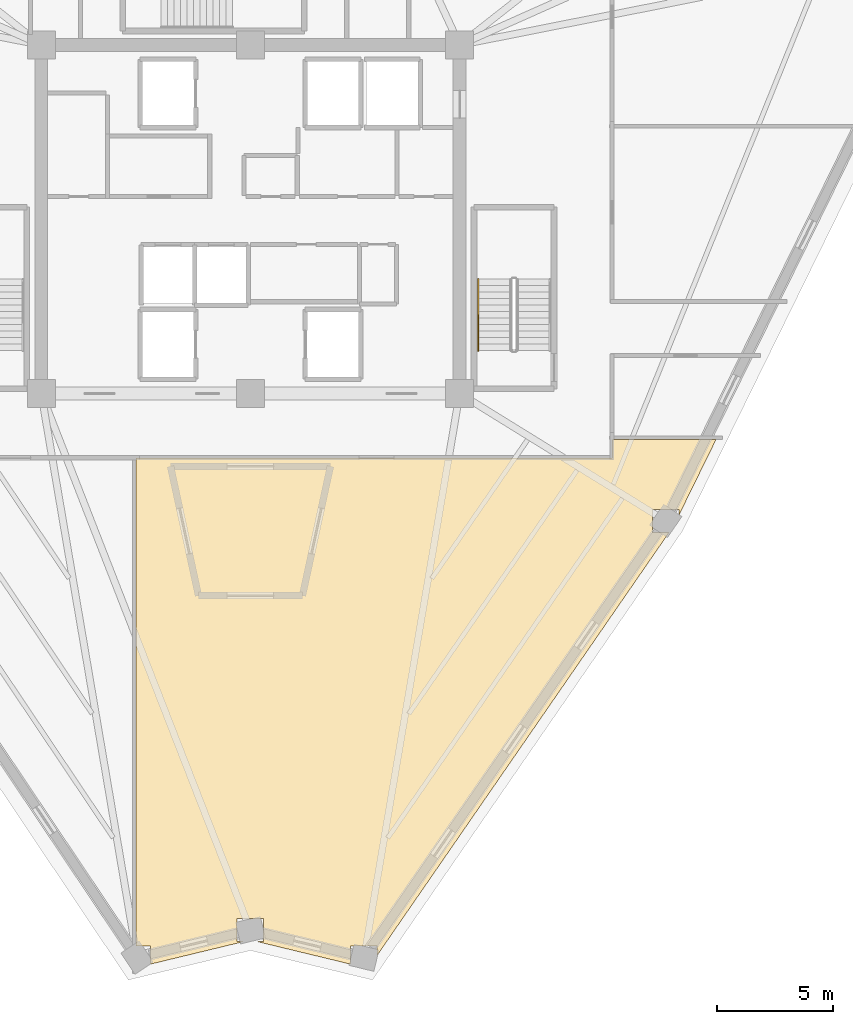
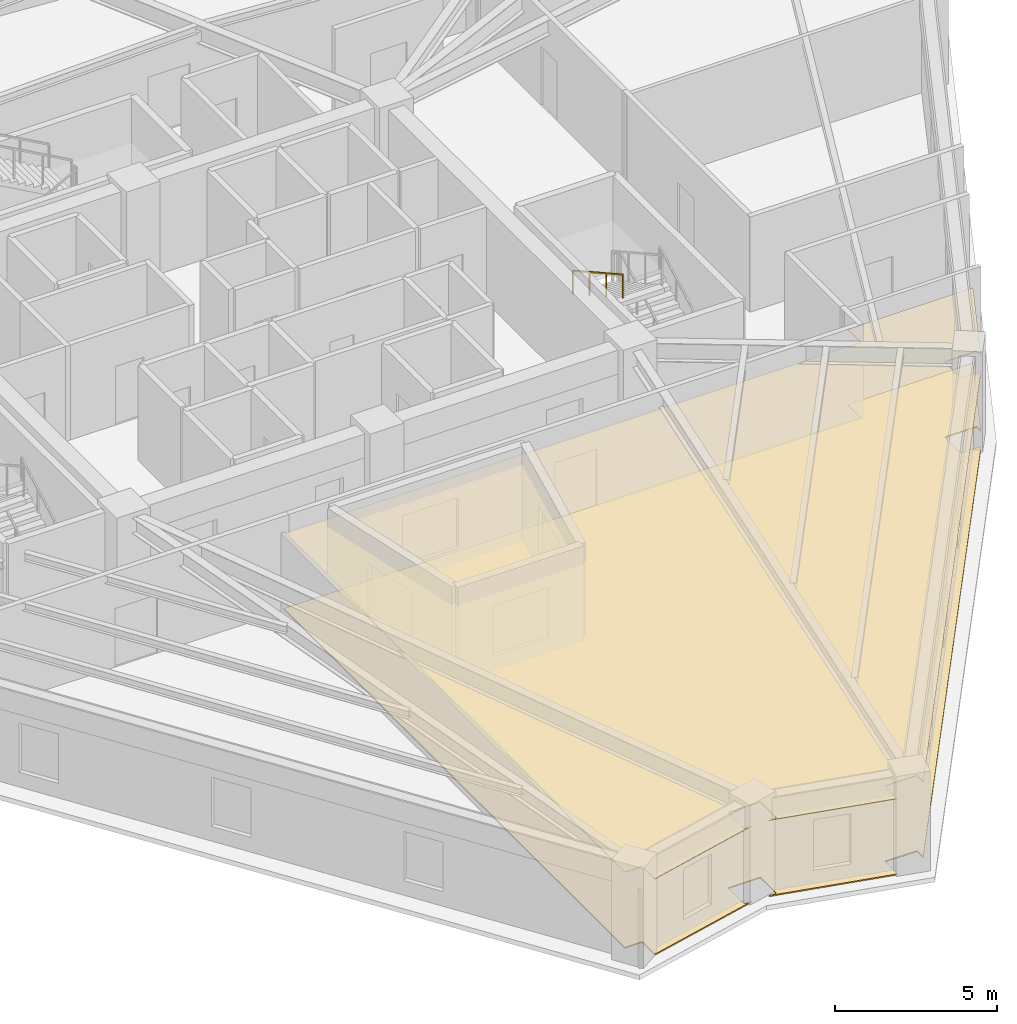
# One storey, part 9 of 10: 2 coverings, 1 railing.
"""IFC4 building model written with IfcOpenShell, lengths in metres."""

from ifc_helpers import new_model, si_unit, direction, frame, origin, origin_2d, place, context, subcontext, project, spatial, polyline, rectangle, outline, extrude, material, layer, layer_set, type_object, element, save


model = new_model("IFC4")

# Units and contexts
model_context = context("Model", 3, precision=1e-05, world=origin(), true_north=direction((0.0, 1.0)))
body_context = subcontext(model_context, "Body", "Model", "MODEL_VIEW")
ifc_project = project(units=[si_unit("LENGTHUNIT", "METRE"), si_unit("AREAUNIT", "SQUARE_METRE"), si_unit("VOLUMEUNIT", "CUBIC_METRE"), si_unit("PLANEANGLEUNIT", "RADIAN"), si_unit("MASSUNIT", "GRAM", prefix="KILO")], contexts=[model_context])

# Site, building, storey
site_placement = place(None, origin())
site = spatial("IfcSite", under=ifc_project, at=site_placement, CompositionType="ELEMENT")
building_placement = place(site_placement, origin())
building = spatial("IfcBuilding", under=site, at=building_placement, Name="Liaohun Quay Tower", CompositionType="ELEMENT")
storey_placement = place(building_placement, frame((0.0, 0.0, 309.0)))
storey = spatial("IfcBuildingStorey", under=building, at=storey_placement, Name="L80", CompositionType="ELEMENT", Elevation=309.0)

# Coverings
ifc_material_1 = material(Name="Mineral-fibre acoustic ceiling tile")
ifc_layer_1 = layer(ifc_material_1, 0.02490234375, Name="Mineral-fibre acoustic ceiling tile")
ifc_layer_set_1 = layer_set([ifc_layer_1], Name="Mineral-fibre acoustic ceiling tile")
covering_type_1 = type_object("IfcCoveringType", Name="COV-CEIL-ACT", PredefinedType="CEILING", material=ifc_layer_set_1)
covering_1_placement = place(storey_placement, frame((0.0, 0.0, 2.85009765625)))
element("IfcCovering", 1, at=covering_1_placement, inside=storey, type_object=covering_type_1, Name="L80 Corporate Exhibition Gallery 08 Acoustic Ceiling", PredefinedType="CEILING", context=body_context, shape_type="SweptSolid", body=[
    extrude(outline(polyline([(75.580078125, 43.719970703125), (55.074951171875, 43.719970703125), (55.074951171875, 22.72509765625), (55.693115234375, 22.72509765625), (55.693115234375, 21.946044921875), (59.695068359375, 22.9130859375), (59.429931640625, 22.9130859375), (59.429931640625, 23.903076171875), (60.570068359375, 23.903076171875), (60.570068359375, 22.9130859375), (60.304931640625, 22.9130859375), (64.31494140625, 21.944091796875), (64.31494140625, 22.722900390625), (65.455078125, 22.722900390625), (65.455078125, 22.33203125), (78.01611328125, 40.527099609375), (77.2900390625, 40.527099609375), (77.2900390625, 41.51708984375), (78.429931640625, 41.51708984375), (78.429931640625, 41.2529296875), (80.035888671875, 44.52490234375), (75.580078125, 44.52490234375), (75.580078125, 43.719970703125)])), origin(), (0.0, 0.0, 1.0), 0.02490234375),
])
ifc_material_2 = material(Name="Calcium-sulphate raised access floor tile")
ifc_layer_2 = layer(ifc_material_2, 0.044921875, Name="Calcium-sulphate raised access floor tile")
ifc_layer_set_2 = layer_set([ifc_layer_2], Name="Calcium-sulphate raised access floor tile")
covering_type_2 = type_object("IfcCoveringType", Name="COV-FLR-RAF", PredefinedType="FLOORING", material=ifc_layer_set_2)
covering_2_placement = place(storey_placement, origin())
element("IfcCovering", 2, at=covering_2_placement, inside=storey, type_object=covering_type_2, Name="L80 Corporate Exhibition Gallery 08 Floor Finish", PredefinedType="FLOORING", context=body_context, shape_type="SweptSolid", body=[
    extrude(outline(polyline([(75.580078125, 43.719970703125), (55.074951171875, 43.719970703125), (55.074951171875, 22.72509765625), (55.693115234375, 22.72509765625), (55.693115234375, 21.946044921875), (59.695068359375, 22.9130859375), (59.429931640625, 22.9130859375), (59.429931640625, 23.903076171875), (60.570068359375, 23.903076171875), (60.570068359375, 22.9130859375), (60.304931640625, 22.9130859375), (64.31494140625, 21.944091796875), (64.31494140625, 22.722900390625), (65.455078125, 22.722900390625), (65.455078125, 22.33203125), (78.01611328125, 40.527099609375), (77.2900390625, 40.527099609375), (77.2900390625, 41.51708984375), (78.429931640625, 41.51708984375), (78.429931640625, 41.2529296875), (80.035888671875, 44.52490234375), (75.580078125, 44.52490234375), (75.580078125, 43.719970703125)])), origin(), (0.0, 0.0, 1.0), 0.044921875),
])

# Railing
ifc_material_3 = material(Name="Brushed stainless steel", Category="steel")
railing_type = type_object("IfcRailingType", Name="RLG-HND-STR", PredefinedType="HANDRAIL", material=ifc_material_3)
railing_placement = place(storey_placement, frame((69.800048828125, 51.429931640625, 2.03125)))
element("IfcRailing", 3, at=railing_placement, inside=storey, type_object=railing_type, Name="L80 ST-2 stair handrail 2", PredefinedType="HANDRAIL", context=body_context, shape_type="SweptSolid", body=[
    extrude(rectangle(XDim=0.048095703125, YDim=0.048095703125, at=origin_2d()), frame((0.0, 0.0, 0.8759765625), z_axis=(0.0, -0.873225103656, 0.487317061414), x_axis=(1.0, 0.0, 0.0)), (0.0, 0.0, 1.0), 3.52685546875),
    extrude(rectangle(XDim=0.0419921875, YDim=0.0419921875, at=origin_2d()), origin(), (0.0, 0.0, 1.0), 0.851806640625),
    extrude(rectangle(XDim=0.0419921875, YDim=0.0419921875, at=origin_2d()), frame((0.0, -1.026611328125, 0.572998046875)), (0.0, 0.0, 1.0), 0.851806640625),
    extrude(rectangle(XDim=0.0419921875, YDim=0.0419921875, at=origin_2d()), frame((0.0, -2.05322265625, 1.145751953125)), (0.0, 0.0, 1.0), 0.851806640625),
    extrude(rectangle(XDim=0.0419921875, YDim=0.0419921875, at=origin_2d()), frame((0.0, -3.079833984375, 1.71875)), (0.0, 0.0, 1.0), 0.851806640625),
])

save(model, "model.ifc")
